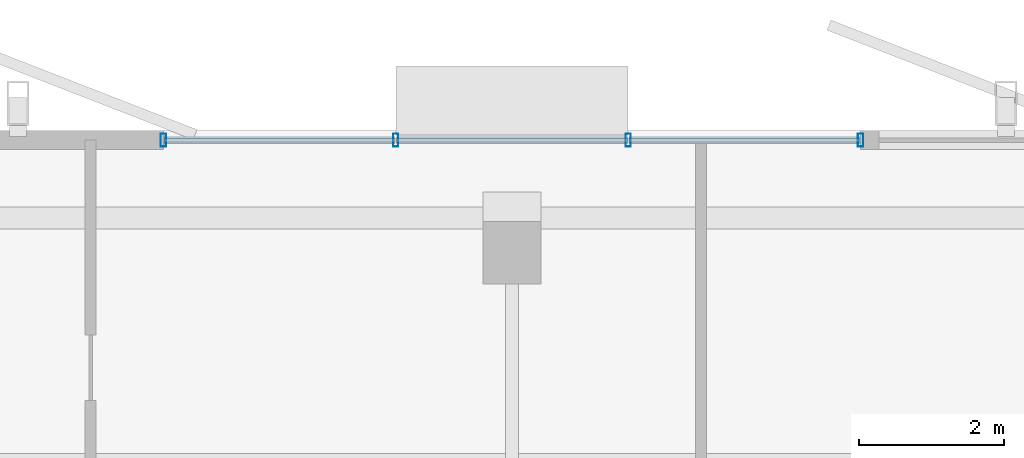
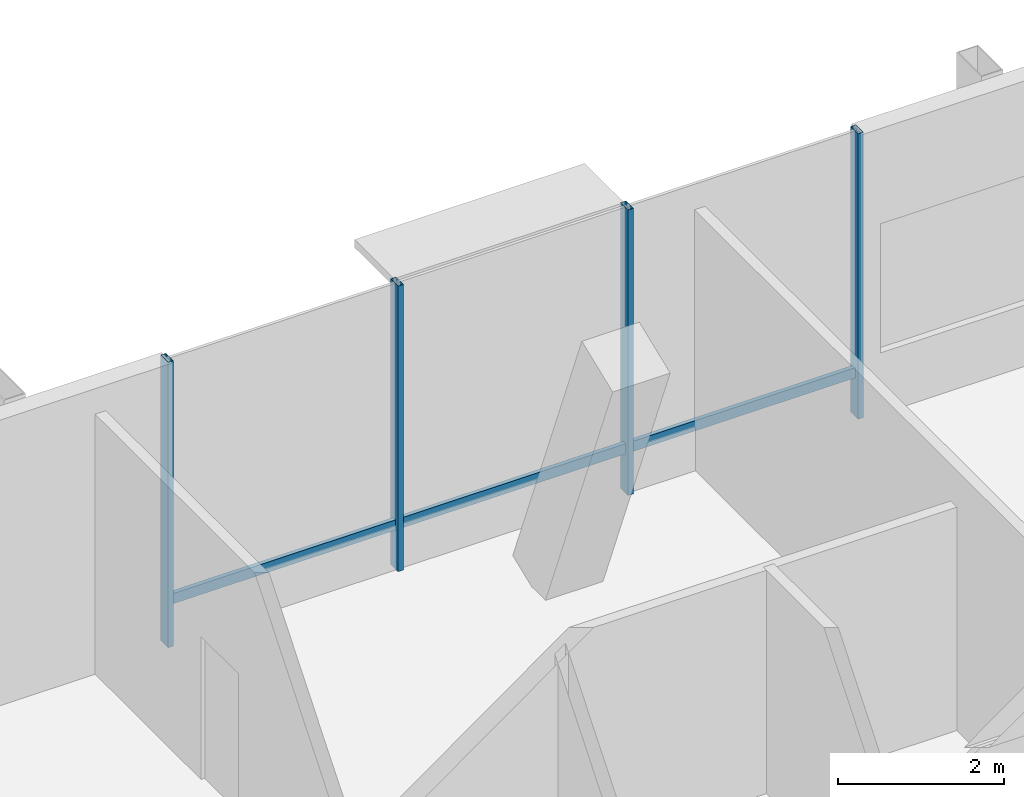
# One storey, part 9 of 16: 7 members, 1 element without a shape of its own.
"""IFC4 building model written with IfcOpenShell, lengths in metres."""

import ifcopenshell
import ifcopenshell.guid

model = None  # the IFC model being written
_history = None  # IfcOwnerHistory: only IFC2X3 demands one
_inside = {}  # id of a spatial element -> (the spatial element, [elements in it])
_under = {}  # id of a project, library or spatial element -> (it, [spatial elements below it])
_declared = {}  # id of a project -> (the project, [libraries it declares])
_typed = {}  # id of a type object -> (the type object, [elements of that type])
_made_of = {}  # id of a material, layer set ... -> (it, [elements and type objects made of it])


def new_model(schema):
    """Start an empty IFC model of exactly this schema.

    Asked for "IFC4X3", IfcOpenShell would pick the latest addendum, in which some entities
    have other attributes; the version numbers below select the first issue.
    IFC2X3 requires an IfcOwnerHistory on every rooted entity: one is made here for all.
    """
    global model, _history
    if schema == "IFC4X3":
        model = ifcopenshell.file(schema_version=(4, 3, 0, 0))
    else:
        model = ifcopenshell.file(schema=schema)
    _inside.clear()
    _under.clear()
    _declared.clear()
    _typed.clear()
    _made_of.clear()
    _history = None
    if model.schema == "IFC2X3":
        org = make("IfcOrganization", Name="unknown")
        user = make(
            "IfcPersonAndOrganization",
            ThePerson=make("IfcPerson", FamilyName="unknown"),
            TheOrganization=org,
        )
        app = make(
            "IfcApplication",
            ApplicationDeveloper=org,
            Version="unknown",
            ApplicationFullName="unknown",
            ApplicationIdentifier="unknown",
        )
        _history = make(
            "IfcOwnerHistory",
            OwningUser=user,
            OwningApplication=app,
            ChangeAction="ADDED",
            CreationDate=0,
        )
    return model


def make(cls, **values):
    """One entity of the class cls with the attributes given. An attribute that is None is left unset."""
    return model.create_entity(
        cls, **{name: value for name, value in values.items() if value is not None}
    )


def rooted(cls, **values):
    """An entity with a GlobalId (a new one), such as an element, a storey or a relation."""
    return make(cls, GlobalId=ifcopenshell.guid.new(), OwnerHistory=_history, **values)


def si_unit(unit_type, name, prefix=None):
    """IfcSIUnit, for example si_unit("LENGTHUNIT", "METRE", prefix="MILLI")."""
    return make("IfcSIUnit", UnitType=unit_type, Prefix=prefix, Name=name)


def assignment(units):
    """IfcUnitAssignment: the units of a project."""
    return None if units is None else make("IfcUnitAssignment", Units=units)


def point(xyz):
    """IfcCartesianPoint."""
    return None if xyz is None else make("IfcCartesianPoint", Coordinates=xyz)


def direction(xyz):
    """IfcDirection."""
    return None if xyz is None else make("IfcDirection", DirectionRatios=xyz)


def frame(location, z_axis=None, x_axis=None):
    """IfcAxis2Placement3D, a coordinate frame: its origin and axes. An axis left out is left unset."""
    return make(
        "IfcAxis2Placement3D",
        Location=point(location),
        Axis=direction(z_axis),
        RefDirection=direction(x_axis),
    )


def frame_2d(location, x_axis=None):
    """IfcAxis2Placement2D, a coordinate frame in the plane: its origin and x axis."""
    return make(
        "IfcAxis2Placement2D", Location=point(location), RefDirection=direction(x_axis)
    )


def origin():
    """The frame at (0, 0, 0) with its axes left unset."""
    return frame((0.0, 0.0, 0.0))


def origin_2d():
    """The frame at (0, 0) in the plane with its x axis left unset."""
    return frame_2d((0.0, 0.0))


def place(relative_to, where):
    """IfcLocalPlacement: puts the frame where relative to a parent placement (None: the world)."""
    return make(
        "IfcLocalPlacement", PlacementRelTo=relative_to, RelativePlacement=where
    )


def context(
    kind, dimensions, precision=None, world=None, true_north=None, identifier=None
):
    """IfcGeometricRepresentationContext, for example the 3D "Model" context."""
    return make(
        "IfcGeometricRepresentationContext",
        ContextIdentifier=identifier,
        ContextType=kind,
        CoordinateSpaceDimension=dimensions,
        Precision=precision,
        WorldCoordinateSystem=world,
        TrueNorth=true_north,
    )


def subcontext(parent, identifier, kind, view, scale=None):
    """IfcGeometricRepresentationSubContext, for example "Body" below "Model"."""
    return make(
        "IfcGeometricRepresentationSubContext",
        ContextIdentifier=identifier,
        ContextType=kind,
        ParentContext=parent,
        TargetScale=scale,
        TargetView=view,
    )


def project(units=None, contexts=None):
    """IfcProject with its units and contexts."""
    return rooted(
        "IfcProject",
        Name="project",
        RepresentationContexts=contexts,
        UnitsInContext=assignment(units),
    )


def spatial(cls, under=None, at=None, **own):
    """A site, building, storey or space (cls), placed at a placement, below another one or the project."""
    s = rooted(cls, ObjectPlacement=at, **own)
    if under is not None:
        _under.setdefault(under.id(), (under, []))[1].append(s)
    return s


def profile(cls, at=None, kind="AREA", **sizes):
    """A parametric profile (cls). Its sizes go by their IFC names, for example OverallWidth=200.0."""
    return make(cls, ProfileType=kind, Position=at, **sizes)


def hollow_rectangle(**sizes):
    """IfcRectangleHollowProfileDef."""
    return profile("IfcRectangleHollowProfileDef", **sizes)


def extrude(swept, where, along, depth):
    """IfcExtrudedAreaSolid: the profile swept, set in the frame where, extruded along a direction by depth."""
    return make(
        "IfcExtrudedAreaSolid",
        SweptArea=swept,
        Position=where,
        ExtrudedDirection=direction(along),
        Depth=depth,
    )


def shape(context_of_items, identifier, shape_type, items):
    """IfcShapeRepresentation: the items that make up one representation, for example the "Body"."""
    return make(
        "IfcShapeRepresentation",
        ContextOfItems=context_of_items,
        RepresentationIdentifier=identifier,
        RepresentationType=shape_type,
        Items=items,
    )


def material(Name=None, Category=None):
    """IfcMaterial."""
    return make("IfcMaterial", Name=Name, Category=Category)


def layer(
    of_material, thickness, ventilated=None, Name=None, Category=None, Priority=None
):
    """IfcMaterialLayer: one layer of a wall or slab, of a material (None: an air gap)."""
    return make(
        "IfcMaterialLayer",
        Material=of_material,
        LayerThickness=thickness,
        IsVentilated=ventilated,
        Name=Name,
        Category=Category,
        Priority=Priority,
    )


def layer_set(layers, Name=None):
    """IfcMaterialLayerSet."""
    return make("IfcMaterialLayerSet", MaterialLayers=layers, LayerSetName=Name)


def material_profile(
    of_material, cross_section, Name=None, Category=None, Priority=None
):
    """IfcMaterialProfile: a cross section and its material."""
    return make(
        "IfcMaterialProfile",
        Name=Name,
        Material=of_material,
        Profile=cross_section,
        Priority=Priority,
        Category=Category,
    )


def profile_set(profiles, Name=None, composite=None):
    """IfcMaterialProfileSet."""
    return make(
        "IfcMaterialProfileSet",
        Name=Name,
        MaterialProfiles=profiles,
        CompositeProfile=composite,
    )


def made_of(thing, what):
    """Note that an element or type object is made of a material, layer set ...; save() writes the relation."""
    if what is not None:
        _made_of.setdefault(what.id(), (what, []))[1].append(thing)
    return thing


def type_object(cls, material=None, **own):
    """A type object (cls), such as IfcWallType, which elements share."""
    return made_of(rooted(cls, **own), material)


def element(
    cls,
    number,
    at=None,
    inside=None,
    cuts=None,
    type_object=None,
    material=None,
    context=None,
    identifier="Body",
    shape_type=None,
    held_by="IfcProductDefinitionShape",
    body=None,
    shapes=None,
    **own,
):
    """One element of the class cls, such as IfcWall. Its Tag is "e" and its number.

    at: its placement. inside: the storey or other place that contains it. cuts: it is an
    opening in that element (IfcRelVoidsElement). A single representation is given by context,
    identifier, shape_type and body (its items); several are given by shapes. held_by: the class
    of the entity that holds the representations. save() writes the other relations.
    """
    e = rooted(cls, Tag="e%d" % number, ObjectPlacement=at, **own)
    if body is not None:
        shapes = [shape(context, identifier, shape_type, body)]
    if shapes is not None:
        e.Representation = make(held_by, Representations=shapes)
    if inside is not None:
        _inside.setdefault(inside.id(), (inside, []))[1].append(e)
    if cuts is not None:
        rooted(
            "IfcRelVoidsElement", RelatingBuildingElement=cuts, RelatedOpeningElement=e
        )
    if type_object is not None:
        _typed.setdefault(type_object.id(), (type_object, []))[1].append(e)
    return made_of(e, material)


def aggregate(whole, parts):
    """IfcRelAggregates: a whole, such as a stair, and the parts it consists of."""
    return rooted("IfcRelAggregates", RelatingObject=whole, RelatedObjects=parts)


def save(model, path):
    """Write the relations noted so far, then the file.

    IfcRelAggregates (storeys below a building ...), IfcRelContainedInSpatialStructure (elements
    in a storey), IfcRelDefinesByType, IfcRelAssociatesMaterial and IfcRelDeclares: one each for
    every whole, place, type object, material and project.
    """
    for whole, parts in _under.values():
        aggregate(whole, parts)
    for where, things in _inside.values():
        rooted(
            "IfcRelContainedInSpatialStructure",
            RelatedElements=things,
            RelatingStructure=where,
        )
    for kind, things in _typed.values():
        rooted("IfcRelDefinesByType", RelatedObjects=things, RelatingType=kind)
    for what, things in _made_of.values():
        rooted("IfcRelAssociatesMaterial", RelatedObjects=things, RelatingMaterial=what)
    for by, libraries in _declared.values():
        rooted("IfcRelDeclares", RelatingContext=by, RelatedDefinitions=libraries)
    model.write(path)


model = new_model("IFC4")

# Units and contexts
model_context = context("Model", 3, precision=1e-05, world=origin(), true_north=direction((0.0, 1.0)))
body_context = subcontext(model_context, "Body", "Model", "MODEL_VIEW")
ifc_project = project(units=[si_unit("LENGTHUNIT", "METRE"), si_unit("AREAUNIT", "SQUARE_METRE"), si_unit("VOLUMEUNIT", "CUBIC_METRE"), si_unit("PLANEANGLEUNIT", "RADIAN"), si_unit("MASSUNIT", "GRAM", prefix="KILO")], contexts=[model_context])

# Site, building, storey
site_placement = place(None, origin())
site = spatial("IfcSite", under=ifc_project, at=site_placement, CompositionType="ELEMENT")
building_placement = place(site_placement, origin())
building = spatial("IfcBuilding", under=site, at=building_placement, Name="Belovzor Exchange Tower", CompositionType="ELEMENT")
storey_placement = place(building_placement, frame((0.0, 0.0, 364.5)))
storey = spatial("IfcBuildingStorey", under=building, at=storey_placement, Name="L91", CompositionType="ELEMENT", Elevation=364.5)

# Curtain wall, members
ifc_material_1 = material(Name="Anodised Aluminium Framing", Category="aluminium")
ifc_layer = layer(ifc_material_1, 0.169921875)
ifc_layer_set = layer_set([ifc_layer], Name="Anodised Aluminium Framing")
curtain_wall_type = type_object("IfcCurtainWallType", Name="Stepped Crown Faceted Lantern Curtain Wall", PredefinedType="NOTDEFINED", material=ifc_layer_set)
curtain_wall_placement = place(storey_placement, origin())
curtain_wall = element("IfcCurtainWall", 1, at=curtain_wall_placement, inside=storey, type_object=curtain_wall_type, Name="CW6 Stepped Crown Faceted Lantern Curtain Wall L91", PredefinedType="NOTDEFINED")
ifc_material_2 = material(Name="Steel S355", Category="steel")
ifc_material_profile_1 = material_profile(ifc_material_2, hollow_rectangle(XDim=0.074951171875, YDim=0.179931640625, WallThickness=0.0048828125, at=origin_2d()))
ifc_profile_set_1 = profile_set([ifc_material_profile_1], Name="Steel S355")
member_type_1 = type_object("IfcMemberType", Name="Thermally Broken Curtain Wall Mullion 180x75", PredefinedType="MULLION", material=ifc_profile_set_1)
member_1_placement = place(storey_placement, frame((24.0, 49.070068359375, 0.0), z_axis=(0.0, 0.0, 1.0), x_axis=(1.0, 0.0, 0.0)))
member_1 = element("IfcMember", 2, at=member_1_placement, type_object=member_type_1, Name="CW-M180 Curtain Wall Mullion 1", PredefinedType="MULLION", context=body_context, shape_type="SweptSolid", body=[
    extrude(hollow_rectangle(XDim=0.074951171875, YDim=0.179931640625, WallThickness=0.0048828125, at=origin_2d()), origin(), (0.0, 0.0, 1.0), 4.199951171875),
])
member_2_placement = place(storey_placement, frame((27.199951171875, 49.070068359375, 0.0), z_axis=(0.0, 0.0, 1.0), x_axis=(1.0, 0.0, 0.0)))
member_2 = element("IfcMember", 3, at=member_2_placement, type_object=member_type_1, Name="CW-M180 Curtain Wall Mullion 2", PredefinedType="MULLION", context=body_context, shape_type="SweptSolid", body=[
    extrude(hollow_rectangle(XDim=0.074951171875, YDim=0.179931640625, WallThickness=0.0048828125, at=origin_2d()), origin(), (0.0, 0.0, 1.0), 4.199951171875),
])
member_3_placement = place(storey_placement, frame((30.39990234375, 49.070068359375, 0.0), z_axis=(0.0, 0.0, 1.0), x_axis=(1.0, 0.0, 0.0)))
member_3 = element("IfcMember", 4, at=member_3_placement, type_object=member_type_1, Name="CW-M180 Curtain Wall Mullion 3", PredefinedType="MULLION", context=body_context, shape_type="SweptSolid", body=[
    extrude(hollow_rectangle(XDim=0.074951171875, YDim=0.179931640625, WallThickness=0.0048828125, at=origin_2d()), origin(), (0.0, 0.0, 1.0), 4.199951171875),
])
member_4_placement = place(storey_placement, frame((33.60009765625, 49.070068359375, 0.0), z_axis=(0.0, 0.0, 1.0), x_axis=(1.0, 0.0, 0.0)))
member_4 = element("IfcMember", 5, at=member_4_placement, type_object=member_type_1, Name="CW-M180 Curtain Wall Mullion 4", PredefinedType="MULLION", context=body_context, shape_type="SweptSolid", body=[
    extrude(hollow_rectangle(XDim=0.074951171875, YDim=0.179931640625, WallThickness=0.0048828125, at=origin_2d()), origin(), (0.0, 0.0, 1.0), 4.199951171875),
])
ifc_material_3 = material(Name="Steel S355", Category="steel")
ifc_material_profile_2 = material_profile(ifc_material_3, hollow_rectangle(XDim=0.06005859375, YDim=0.14990234375, WallThickness=0.00390625, at=origin_2d()))
ifc_profile_set_2 = profile_set([ifc_material_profile_2], Name="Steel S355")
member_type_2 = type_object("IfcMemberType", Name="Thermally Broken Curtain Wall Transom 150x60", PredefinedType="USERDEFINED", material=ifc_profile_set_2)
member_5_placement = place(storey_placement, frame((24.008056640625, 49.070068359375, 0.64990234375), z_axis=(1.0, 0.0, 0.0), x_axis=(0.0, 1.0, 0.0)))
member_5 = element("IfcMember", 6, at=member_5_placement, type_object=member_type_2, Name="CW-T150 Curtain Wall Transom 1", ObjectType="TRANSOM", PredefinedType="USERDEFINED", context=body_context, shape_type="SweptSolid", body=[
    extrude(hollow_rectangle(XDim=0.06005859375, YDim=0.14990234375, WallThickness=0.00390625, at=origin_2d()), origin(), (0.0, 0.0, 1.0), 3.183837890625),
])
member_6_placement = place(storey_placement, frame((27.2080078125, 49.070068359375, 0.64990234375), z_axis=(1.0, 0.0, 0.0), x_axis=(0.0, 1.0, 0.0)))
member_6 = element("IfcMember", 7, at=member_6_placement, type_object=member_type_2, Name="CW-T150 Curtain Wall Transom 2", ObjectType="TRANSOM", PredefinedType="USERDEFINED", context=body_context, shape_type="SweptSolid", body=[
    extrude(hollow_rectangle(XDim=0.06005859375, YDim=0.14990234375, WallThickness=0.00390625, at=origin_2d()), origin(), (0.0, 0.0, 1.0), 3.18408203125),
])
member_7_placement = place(storey_placement, frame((30.407958984375, 49.070068359375, 0.64990234375), z_axis=(1.0, 0.0, 0.0), x_axis=(0.0, 1.0, 0.0)))
member_7 = element("IfcMember", 8, at=member_7_placement, type_object=member_type_2, Name="CW-T150 Curtain Wall Transom 3", ObjectType="TRANSOM", PredefinedType="USERDEFINED", context=body_context, shape_type="SweptSolid", body=[
    extrude(hollow_rectangle(XDim=0.06005859375, YDim=0.14990234375, WallThickness=0.00390625, at=origin_2d()), origin(), (0.0, 0.0, 1.0), 3.18408203125),
])
aggregate(curtain_wall, [member_1, member_2, member_3, member_4, member_5, member_6, member_7])

save(model, "model.ifc")
